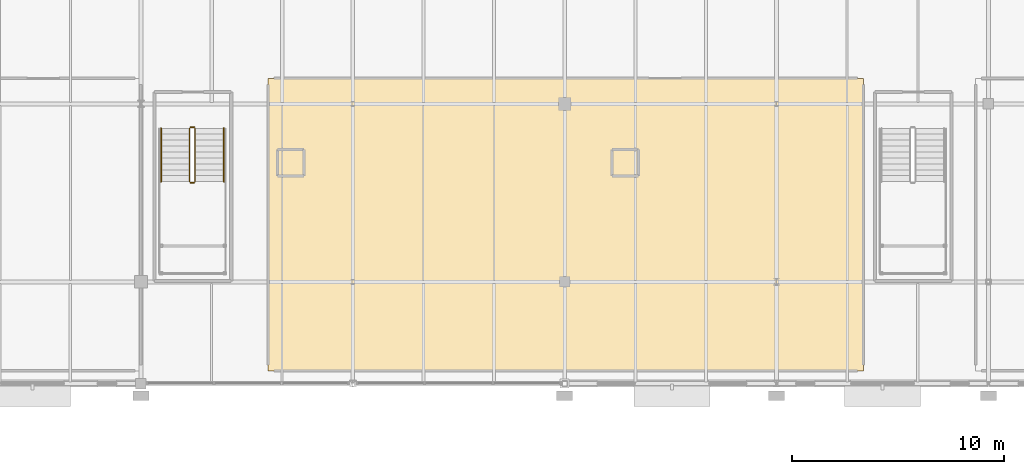
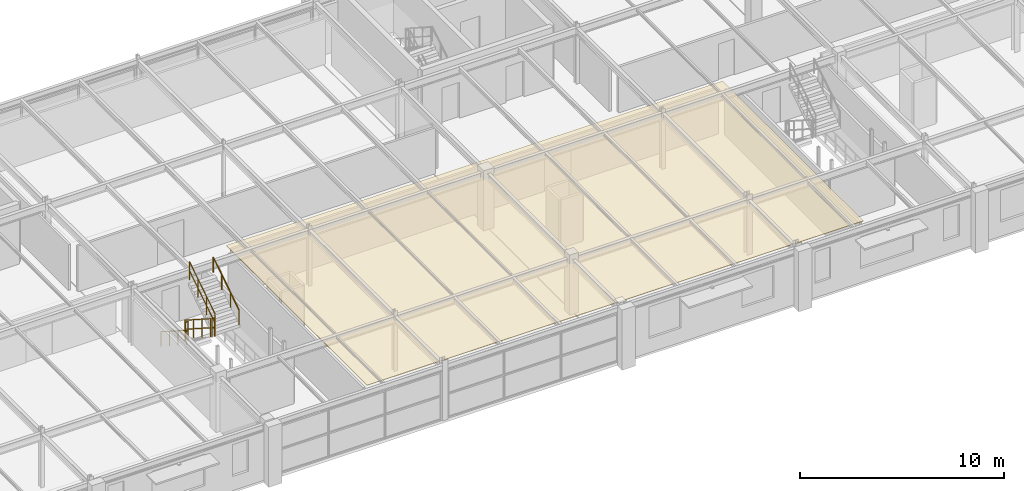
# One storey, part 107 of 109: 6 railings, 1 covering.
"""IFC4 building model written with IfcOpenShell, lengths in metres."""

from ifc_helpers import new_model, si_unit, derived_unit, direction, frame, origin, origin_2d_with_axis, place, context, subcontext, project, spatial, polyline, circle, outline, extrude, material, layer, layer_set, type_object, element, save


model = new_model("IFC4")

# Units and contexts
model_context = context("Model", 3, precision=1e-05, world=origin(), true_north=direction((0.0, 1.0)))
body_context = subcontext(model_context, "Body", "Model", "MODEL_VIEW")
ifc_project = project(units=[si_unit("LENGTHUNIT", "METRE"), si_unit("AREAUNIT", "SQUARE_METRE"), si_unit("VOLUMEUNIT", "CUBIC_METRE"), si_unit("PLANEANGLEUNIT", "RADIAN"), si_unit("MASSUNIT", "GRAM", prefix="KILO"), derived_unit("THERMALTRANSMITTANCEUNIT", [(si_unit("POWERUNIT", "WATT"), 1), (si_unit("LENGTHUNIT", "METRE"), -2), (si_unit("THERMODYNAMICTEMPERATUREUNIT", "KELVIN"), -1)])], contexts=[model_context])

# Site, building, storey
site_placement = place(None, origin())
site = spatial("IfcSite", under=ifc_project, at=site_placement, CompositionType="ELEMENT")
building_placement = place(site_placement, origin())
building = spatial("IfcBuilding", under=site, at=building_placement, Name="Cinnabar Yard Market Hall", CompositionType="ELEMENT")
storey_placement = place(building_placement, frame((0.0, 0.0, 8.39990234375)))
storey = spatial("IfcBuildingStorey", under=building, at=storey_placement, Name="L02", CompositionType="ELEMENT", Elevation=8.39990234375)

# Covering
ifc_material_1 = material(Name="Perforated acoustic spotted-gum timber slats", Category="wood")
ifc_layer_1 = layer(ifc_material_1, 0.0400390625)
ifc_layer_set_1 = layer_set([ifc_layer_1], Name="Perforated acoustic spotted-gum timber slats")
covering_type = type_object("IfcCoveringType", Name="COV-CLG1", PredefinedType="CEILING", material=ifc_layer_set_1)
covering_placement = place(storey_placement, frame((0.0, 0.0, 3.0)))
element("IfcCovering", 1, at=covering_placement, inside=storey, type_object=covering_type, Name="Ceiling Culinary Demonstration Auditorium", PredefinedType="CEILING", context=body_context, shape_type="SweptSolid", body=[
    extrude(outline(polyline([(112.0, 108.60009765625), (140.10009765625, 108.60009765625), (140.10009765625, 122.39990234375), (112.0, 122.39990234375), (112.0, 108.60009765625)])), origin(), (0.0, 0.0, 1.0), 0.03515625),
])

# Railings
ifc_material_2 = material(Name="Laminated glass and bronze handrail", Category="glass")
ifc_layer_2 = layer(ifc_material_2, 0.070068359375)
ifc_layer_set_2 = layer_set([ifc_layer_2], Name="Laminated glass and bronze handrail")
railing_type_1 = type_object("IfcRailingType", Name="RL-G01", PredefinedType="BALUSTRADE", material=ifc_layer_set_2)
railing_1_placement = place(storey_placement, frame((108.300048828125, 120.050048828125, 0.18017578125)))
element("IfcRailing", 2, at=railing_1_placement, inside=storey, type_object=railing_type_1, Name="L02 ST-F4 stair guard 1", PredefinedType="BALUSTRADE", context=body_context, shape_type="SweptSolid", body=[
    extrude(circle(Radius=0.02392578125, at=origin_2d_with_axis()), frame((0.0, 0.0, 1.09619140625), z_axis=(0.0, -0.841199657755, 0.540724639528), x_axis=(1.0, 0.0, 0.0)), (0.0, 0.0, 1.0), 2.995849609375),
    extrude(circle(Radius=0.02392578125, at=origin_2d_with_axis()), frame((0.0, 0.0, 0.550048828125), z_axis=(0.0, -0.841199657755, 0.540724639528), x_axis=(1.0, 0.0, 0.0)), (0.0, 0.0, 1.0), 2.995849609375),
    extrude(circle(Radius=0.02099609375, at=origin_2d_with_axis()), origin(), (0.0, 0.0, 1.0), 1.072021484375),
    extrude(circle(Radius=0.02099609375, at=origin_2d_with_axis()), frame((0.0, -0.840087890625, 0.5400390625)), (0.0, 0.0, 1.0), 1.072021484375),
    extrude(circle(Radius=0.02099609375, at=origin_2d_with_axis()), frame((0.0, -1.679931640625, 1.079833984375)), (0.0, 0.0, 1.0), 1.072021484375),
    extrude(circle(Radius=0.02099609375, at=origin_2d_with_axis()), frame((0.0, -2.52001953125, 1.619873046875)), (0.0, 0.0, 1.0), 1.072021484375),
])
railing_2_placement = place(storey_placement, frame((108.35009765625, 117.47998046875, 1.800048828125)))
element("IfcRailing", 3, at=railing_2_placement, inside=storey, type_object=railing_type_1, Name="L02 ST-F4 stair guard 2", PredefinedType="BALUSTRADE", context=body_context, shape_type="SweptSolid", body=[
    extrude(circle(Radius=0.02392578125, at=origin_2d_with_axis()), frame((0.0, 0.0, 1.09619140625), z_axis=(1.0, 0.0, 0.0), x_axis=(0.0, 1.0, 0.0)), (0.0, 0.0, 1.0), 0.159912109375),
    extrude(circle(Radius=0.02392578125, at=origin_2d_with_axis()), frame((0.0, 0.0, 0.550048828125), z_axis=(1.0, 0.0, 0.0), x_axis=(0.0, 1.0, 0.0)), (0.0, 0.0, 1.0), 0.159912109375),
    extrude(circle(Radius=0.02099609375, at=origin_2d_with_axis()), origin(), (0.0, 0.0, 1.0), 1.072021484375),
    extrude(circle(Radius=0.02099609375, at=origin_2d_with_axis()), frame((0.159912109375, 0.0, 0.0)), (0.0, 0.0, 1.0), 1.072021484375),
])
railing_3_placement = place(storey_placement, frame((108.56005859375, 117.530029296875, 1.97998046875)))
element("IfcRailing", 4, at=railing_3_placement, inside=storey, type_object=railing_type_1, Name="L02 ST-F4 stair guard 3", PredefinedType="BALUSTRADE", context=body_context, shape_type="SweptSolid", body=[
    extrude(circle(Radius=0.02392578125, at=origin_2d_with_axis()), frame((0.0, 0.0, 1.09619140625), z_axis=(0.0, 0.841162588446, 0.540782303519), x_axis=(-1.0, 0.0, 0.0)), (0.0, 0.0, 1.0), 2.995849609375),
    extrude(circle(Radius=0.02392578125, at=origin_2d_with_axis()), frame((0.0, 0.0, 0.550048828125), z_axis=(0.0, 0.841162588446, 0.540782303519), x_axis=(-1.0, 0.0, 0.0)), (0.0, 0.0, 1.0), 2.995849609375),
    extrude(circle(Radius=0.02099609375, at=origin_2d_with_axis()), origin(), (0.0, 0.0, 1.0), 1.072021484375),
    extrude(circle(Radius=0.02099609375, at=origin_2d_with_axis()), frame((0.0, 0.840087890625, 0.5400390625)), (0.0, 0.0, 1.0), 1.072021484375),
    extrude(circle(Radius=0.02099609375, at=origin_2d_with_axis()), frame((0.0, 1.679931640625, 1.080078125)), (0.0, 0.0, 1.0), 1.072021484375),
    extrude(circle(Radius=0.02099609375, at=origin_2d_with_axis()), frame((0.0, 2.52001953125, 1.6201171875)), (0.0, 0.0, 1.0), 1.072021484375),
])
railing_4_placement = place(storey_placement, frame((108.35009765625, 120.10009765625, 0.0)))
element("IfcRailing", 5, at=railing_4_placement, inside=storey, type_object=railing_type_1, Name="L02 ST-F4 stair guard 4", PredefinedType="BALUSTRADE", context=body_context, shape_type="SweptSolid", body=[
    extrude(circle(Radius=0.02392578125, at=origin_2d_with_axis()), frame((0.0, 0.0, 1.09619140625), z_axis=(1.0, 0.0, 0.0), x_axis=(0.0, 1.0, 0.0)), (0.0, 0.0, 1.0), 0.159912109375),
    extrude(circle(Radius=0.02392578125, at=origin_2d_with_axis()), frame((0.0, 0.0, 0.550048828125), z_axis=(1.0, 0.0, 0.0), x_axis=(0.0, 1.0, 0.0)), (0.0, 0.0, 1.0), 0.159912109375),
    extrude(circle(Radius=0.02099609375, at=origin_2d_with_axis()), origin(), (0.0, 0.0, 1.0), 1.072021484375),
    extrude(circle(Radius=0.02099609375, at=origin_2d_with_axis()), frame((0.159912109375, 0.0, 0.0)), (0.0, 0.0, 1.0), 1.072021484375),
])
ifc_material_3 = material(Name="Brushed stainless steel handrail", Category="steel")
ifc_layer_3 = layer(ifc_material_3, 0.050048828125)
ifc_layer_set_3 = layer_set([ifc_layer_3], Name="Brushed stainless steel handrail")
railing_type_2 = type_object("IfcRailingType", Name="RL-HR1", PredefinedType="HANDRAIL", material=ifc_layer_set_3)
railing_5_placement = place(storey_placement, frame((106.949951171875, 120.050048828125, 0.18017578125)))
element("IfcRailing", 6, at=railing_5_placement, inside=storey, type_object=railing_type_2, Name="L02 ST-F4 stair handrail 1", PredefinedType="HANDRAIL", context=body_context, shape_type="SweptSolid", body=[
    extrude(circle(Radius=0.02392578125, at=origin_2d_with_axis()), frame((0.0, 0.0, 0.8759765625), z_axis=(0.0, -0.841199657755, 0.540724639528), x_axis=(1.0, 0.0, 0.0)), (0.0, 0.0, 1.0), 2.995849609375),
    extrude(circle(Radius=0.02099609375, at=origin_2d_with_axis()), origin(), (0.0, 0.0, 1.0), 0.851806640625),
    extrude(circle(Radius=0.02099609375, at=origin_2d_with_axis()), frame((0.0, -0.840087890625, 0.5400390625)), (0.0, 0.0, 1.0), 0.851806640625),
    extrude(circle(Radius=0.02099609375, at=origin_2d_with_axis()), frame((0.0, -1.679931640625, 1.079833984375)), (0.0, 0.0, 1.0), 0.851806640625),
    extrude(circle(Radius=0.02099609375, at=origin_2d_with_axis()), frame((0.0, -2.52001953125, 1.619873046875)), (0.0, 0.0, 1.0), 0.851806640625),
])
railing_6_placement = place(storey_placement, frame((109.909912109375, 117.530029296875, 1.97998046875)))
element("IfcRailing", 7, at=railing_6_placement, inside=storey, type_object=railing_type_2, Name="L02 ST-F4 stair handrail 2", PredefinedType="HANDRAIL", context=body_context, shape_type="SweptSolid", body=[
    extrude(circle(Radius=0.02392578125, at=origin_2d_with_axis()), frame((0.0, 0.0, 0.8759765625), z_axis=(0.0, 0.841162588446, 0.540782303519), x_axis=(-1.0, 0.0, 0.0)), (0.0, 0.0, 1.0), 2.995849609375),
    extrude(circle(Radius=0.02099609375, at=origin_2d_with_axis()), origin(), (0.0, 0.0, 1.0), 0.851806640625),
    extrude(circle(Radius=0.02099609375, at=origin_2d_with_axis()), frame((0.0, 0.840087890625, 0.5400390625)), (0.0, 0.0, 1.0), 0.851806640625),
    extrude(circle(Radius=0.02099609375, at=origin_2d_with_axis()), frame((0.0, 1.679931640625, 1.080078125)), (0.0, 0.0, 1.0), 0.851806640625),
    extrude(circle(Radius=0.02099609375, at=origin_2d_with_axis()), frame((0.0, 2.52001953125, 1.6201171875)), (0.0, 0.0, 1.0), 0.851806640625),
])

save(model, "model.ifc")
